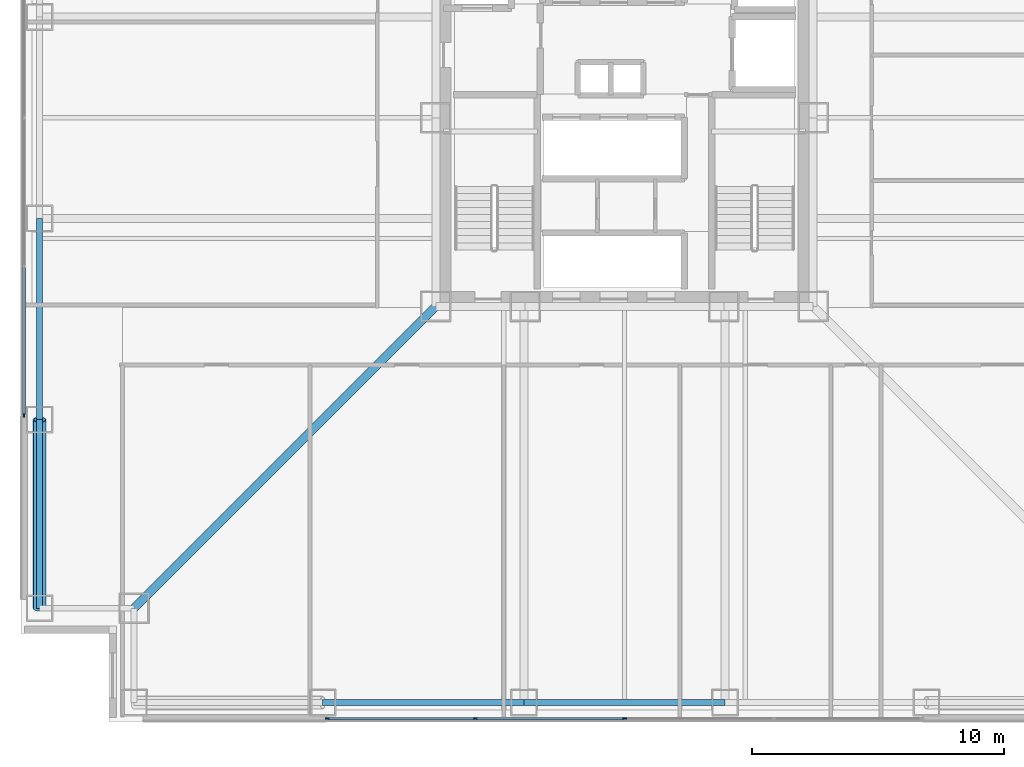
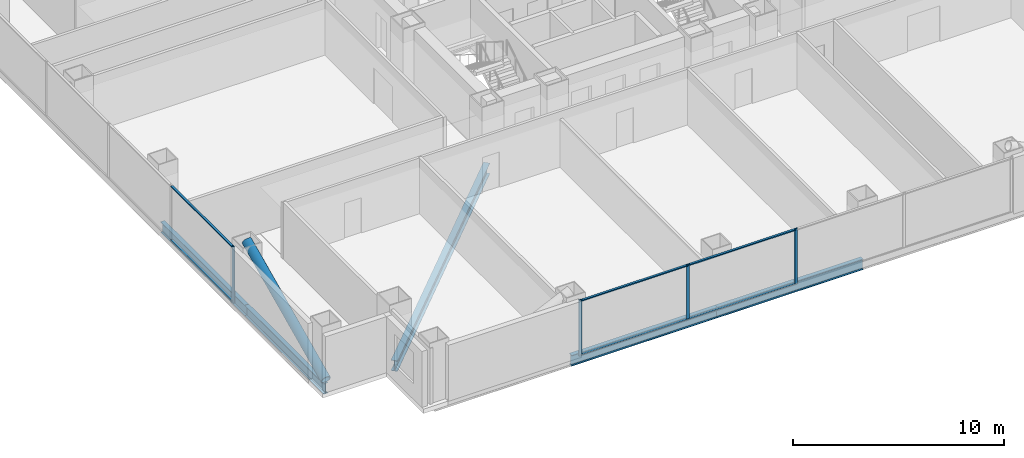
# One storey, part 2 of 15: 11 members, 5 beams, 2 elements without a shape of their own.
"""IFC4 building model written with IfcOpenShell, lengths in metres."""

from ifc_helpers import new_model, si_unit, direction, frame, origin, origin_2d, place, context, subcontext, project, spatial, rectangle, hollow_circle, i_section, extrude, material, layer, layer_set, material_profile, profile_set, type_object, element, aggregate, save


model = new_model("IFC4")

# Units and contexts
model_context = context("Model", 3, precision=1e-05, world=origin(), true_north=direction((0.0, 1.0)))
body_context = subcontext(model_context, "Body", "Model", "MODEL_VIEW")
ifc_project = project(units=[si_unit("LENGTHUNIT", "METRE"), si_unit("AREAUNIT", "SQUARE_METRE"), si_unit("VOLUMEUNIT", "CUBIC_METRE"), si_unit("PLANEANGLEUNIT", "RADIAN"), si_unit("MASSUNIT", "GRAM", prefix="KILO")], contexts=[model_context])

# Site, building, storey
site_placement = place(None, origin())
site = spatial("IfcSite", under=ifc_project, at=site_placement, CompositionType="ELEMENT")
building_placement = place(site_placement, origin())
building = spatial("IfcBuilding", under=site, at=building_placement, Name="Trevonay Congress Spire", CompositionType="ELEMENT")
storey_placement = place(building_placement, frame((0.0, 0.0, 44.5)))
storey = spatial("IfcBuildingStorey", under=building, at=storey_placement, Name="L10", CompositionType="ELEMENT", Elevation=44.5)

# Beams
ifc_material_1 = material(Name="Steel ASTM A572 Grade 50", Category="steel")
ifc_material_profile_1 = material_profile(ifc_material_1, i_section(OverallWidth=0.324951171875, OverallDepth=0.615966796875, WebThickness=0.013916015625, FlangeThickness=0.021484375, FilletRadius=0.01806640625, at=origin_2d()), Name="W610x174")
ifc_profile_set_1 = profile_set([ifc_material_profile_1], Name="Steel ASTM A572 Grade 50")
beam_type_1 = type_object("IfcBeamType", Name="BM-GIRD-W610X174", PredefinedType="BEAM", material=ifc_profile_set_1)
beam_1_placement = place(storey_placement, frame((-7.5, -7.5, -0.55810546875), z_axis=(-0.707106781187, -0.707106781187, 0.0), x_axis=(0.707106781187, -0.707106781187, 0.0)))
element("IfcBeam", 1, at=beam_1_placement, inside=storey, type_object=beam_type_1, Name="L10 structural beam BM-L10-CDSW", PredefinedType="BEAM", context=body_context, shape_type="SweptSolid", body=[
    extrude(i_section(OverallWidth=0.324951171875, OverallDepth=0.615966796875, WebThickness=0.013916015625, FlangeThickness=0.021484375, FilletRadius=0.01806640625, at=origin_2d()), origin(), (0.0, 0.0, 1.0), 16.970458984375),
])
ifc_material_profile_2 = material_profile(ifc_material_1, i_section(OverallWidth=0.22998046875, OverallDepth=0.616943359375, WebThickness=0.01318359375, FlangeThickness=0.022216796875, FilletRadius=0.01611328125, at=origin_2d()), Name="W610x140")
ifc_profile_set_2 = profile_set([ifc_material_profile_2], Name="Steel ASTM A572 Grade 50")
beam_type_2 = type_object("IfcBeamType", Name="BM-RING-W610X140", PredefinedType="BEAM", material=ifc_profile_set_2)
beam_2_placement = place(storey_placement, frame((-23.25, -19.5, -0.55859375), z_axis=(0.0, 1.0, 0.0), x_axis=(-1.0, 0.0, 0.0)))
element("IfcBeam", 2, at=beam_2_placement, inside=storey, type_object=beam_type_2, Name="L10 structural beam BM-L10-PW1", PredefinedType="BEAM", context=body_context, shape_type="SweptSolid", body=[
    extrude(i_section(OverallWidth=0.22998046875, OverallDepth=0.616943359375, WebThickness=0.01318359375, FlangeThickness=0.022216796875, FilletRadius=0.01611328125, at=origin_2d()), origin(), (0.0, 0.0, 1.0), 7.5),
])
for number, where, z_axis, x_axis, name in (
    (3, (-12.0, -23.25, -0.55859375), (1.0, 0.0, 0.0), (0.0, 1.0, 0.0), "L10 structural beam BM-L10-PS2"),
    (4, (-23.25, -12.0, -0.55859375), (0.0, 1.0, 0.0), (-1.0, 0.0, 0.0), "L10 structural beam BM-L10-PW2"),
    (5, (-4.0, -23.25, -0.55859375), (1.0, 0.0, 0.0), (0.0, 1.0, 0.0), "L10 structural beam BM-L10-PS3"),
):
    element("IfcBeam", number, at=place(storey_placement, frame(where, z_axis=z_axis, x_axis=x_axis)), inside=storey, type_object=beam_type_2, Name=name, PredefinedType="BEAM", context=body_context, shape_type="SweptSolid", body=[
        extrude(i_section(OverallWidth=0.22998046875, OverallDepth=0.616943359375, WebThickness=0.01318359375, FlangeThickness=0.022216796875, FilletRadius=0.01611328125, at=origin_2d()), origin(), (0.0, 0.0, 1.0), 8.0),
    ])

# Curtain wall, members
ifc_material_2 = material(Name="Pale Anodised Aluminium EN AW-6063-T6", Category="aluminium")
ifc_layer = layer(ifc_material_2, 0.179931640625, Name="Pale Anodised Aluminium EN AW-6063-T6")
ifc_layer_set = layer_set([ifc_layer], Name="Pale Anodised Aluminium EN AW-6063-T6")
curtain_wall_type = type_object("IfcCurtainWallType", Name="CW-SYS02-HOTEL-PALE-METAL", PredefinedType="NOTDEFINED", material=ifc_layer_set)
curtain_wall_1_placement = place(storey_placement, origin())
curtain_wall_1 = element("IfcCurtainWall", 6, at=curtain_wall_1_placement, inside=storey, type_object=curtain_wall_type, Name="L10 S unitised curtain wall", PredefinedType="NOTDEFINED")
ifc_material_profile_3 = material_profile(ifc_material_2, rectangle(XDim=0.06005859375, YDim=0.159912109375, at=origin_2d()), Name="CW-MULLION-160-ALUMINIUM")
ifc_profile_set_3 = profile_set([ifc_material_profile_3], Name="Pale Anodised Aluminium EN AW-6063-T6")
member_type_1 = type_object("IfcMemberType", Name="CW-MULLION-160-ALUMINIUM", PredefinedType="MULLION", material=ifc_profile_set_3)
member_1_placement = place(storey_placement, frame((-11.820068359375, -23.8798828125, 0.0), z_axis=(0.0, 0.0, 1.0), x_axis=(0.0, 1.0, 0.0)))
member_1 = element("IfcMember", 7, at=member_1_placement, type_object=member_type_1, Name="CW02 mullion 1", PredefinedType="MULLION", context=body_context, shape_type="SweptSolid", body=[
    extrude(rectangle(XDim=0.06005859375, YDim=0.159912109375, at=origin_2d()), origin(), (0.0, 0.0, 1.0), 3.25),
])
member_2_placement = place(storey_placement, frame((-5.925048828125, -23.8798828125, 0.0), z_axis=(0.0, 0.0, 1.0), x_axis=(0.0, 1.0, 0.0)))
member_2 = element("IfcMember", 8, at=member_2_placement, type_object=member_type_1, Name="CW02 mullion 2", PredefinedType="MULLION", context=body_context, shape_type="SweptSolid", body=[
    extrude(rectangle(XDim=0.06005859375, YDim=0.159912109375, at=origin_2d()), origin(), (0.0, 0.0, 1.0), 3.25),
])
member_3_placement = place(storey_placement, frame((0.0, -23.8798828125, 0.0), z_axis=(0.0, 0.0, 1.0), x_axis=(0.0, 1.0, 0.0)))
member_3 = element("IfcMember", 9, at=member_3_placement, type_object=member_type_1, Name="CW02 mullion 3", PredefinedType="MULLION", context=body_context, shape_type="SweptSolid", body=[
    extrude(rectangle(XDim=0.06005859375, YDim=0.159912109375, at=origin_2d()), origin(), (0.0, 0.0, 1.0), 3.25),
])

# Curtain wall, member
curtain_wall_2_placement = place(storey_placement, origin())
curtain_wall_2 = element("IfcCurtainWall", 10, at=curtain_wall_2_placement, inside=storey, type_object=curtain_wall_type, Name="L10 W unitised curtain wall", PredefinedType="NOTDEFINED")
member_4_placement = place(storey_placement, frame((-23.8798828125, -11.820068359375, 0.0), z_axis=(0.0, 0.0, 1.0), x_axis=(-1.0, 0.0, 0.0)))
member_4 = element("IfcMember", 11, at=member_4_placement, type_object=member_type_1, Name="CW02 mullion 1", PredefinedType="MULLION", context=body_context, shape_type="SweptSolid", body=[
    extrude(rectangle(XDim=0.06005859375, YDim=0.159912109375, at=origin_2d()), origin(), (0.0, 0.0, 1.0), 3.25),
])

# Member
ifc_material_profile_4 = material_profile(ifc_material_2, rectangle(XDim=0.1201171875, YDim=0.06005859375, at=origin_2d()), Name="CW-TRANSOM-120-ALUMINIUM")
ifc_profile_set_4 = profile_set([ifc_material_profile_4], Name="Pale Anodised Aluminium EN AW-6063-T6")
member_type_2 = type_object("IfcMemberType", Name="CW-TRANSOM-120-ALUMINIUM", PredefinedType="USERDEFINED", material=ifc_profile_set_4)
member_5_placement = place(storey_placement, frame((-11.7900390625, -23.8798828125, 0.06005859375), z_axis=(1.0, 0.0, 0.0), x_axis=(0.0, 1.0, 0.0)))
member_5 = element("IfcMember", 12, at=member_5_placement, type_object=member_type_2, Name="CW02 transom 1.1", ObjectType="TRANSOM", PredefinedType="USERDEFINED", context=body_context, shape_type="SweptSolid", body=[
    extrude(rectangle(XDim=0.1201171875, YDim=0.06005859375, at=origin_2d()), origin(), (0.0, 0.0, 1.0), 5.8349609375),
])

member_6_placement = place(storey_placement, frame((-11.7900390625, -23.8798828125, 3.18994140625), z_axis=(1.0, 0.0, 0.0), x_axis=(0.0, 1.0, 0.0)))
member_6 = element("IfcMember", 13, at=member_6_placement, type_object=member_type_2, Name="CW02 transom 1.2", ObjectType="TRANSOM", PredefinedType="USERDEFINED", context=body_context, shape_type="SweptSolid", body=[
    extrude(rectangle(XDim=0.1201171875, YDim=0.06005859375, at=origin_2d()), origin(), (0.0, 0.0, 1.0), 5.8349609375),
])

member_7_placement = place(storey_placement, frame((-5.89501953125, -23.8798828125, 0.06005859375), z_axis=(1.0, 0.0, 0.0), x_axis=(0.0, 1.0, 0.0)))
member_7 = element("IfcMember", 14, at=member_7_placement, type_object=member_type_2, Name="CW02 transom 2.1", ObjectType="TRANSOM", PredefinedType="USERDEFINED", context=body_context, shape_type="SweptSolid", body=[
    extrude(rectangle(XDim=0.1201171875, YDim=0.06005859375, at=origin_2d()), origin(), (0.0, 0.0, 1.0), 5.864990234375),
])

member_8_placement = place(storey_placement, frame((-5.89501953125, -23.8798828125, 3.18994140625), z_axis=(1.0, 0.0, 0.0), x_axis=(0.0, 1.0, 0.0)))
member_8 = element("IfcMember", 15, at=member_8_placement, type_object=member_type_2, Name="CW02 transom 2.2", ObjectType="TRANSOM", PredefinedType="USERDEFINED", context=body_context, shape_type="SweptSolid", body=[
    extrude(rectangle(XDim=0.1201171875, YDim=0.06005859375, at=origin_2d()), origin(), (0.0, 0.0, 1.0), 5.864990234375),
])

aggregate(curtain_wall_1, [member_1, member_2, member_3, member_5, member_6, member_7, member_8])

member_9_placement = place(storey_placement, frame((-23.8798828125, -11.7900390625, 0.06005859375), z_axis=(0.0, 1.0, 0.0), x_axis=(-1.0, 0.0, 0.0)))
member_9 = element("IfcMember", 16, at=member_9_placement, type_object=member_type_2, Name="CW02 transom 1.1", ObjectType="TRANSOM", PredefinedType="USERDEFINED", context=body_context, shape_type="SweptSolid", body=[
    extrude(rectangle(XDim=0.1201171875, YDim=0.06005859375, at=origin_2d()), origin(), (0.0, 0.0, 1.0), 5.8349609375),
])

member_10_placement = place(storey_placement, frame((-23.8798828125, -11.7900390625, 3.18994140625), z_axis=(0.0, 1.0, 0.0), x_axis=(-1.0, 0.0, 0.0)))
member_10 = element("IfcMember", 17, at=member_10_placement, type_object=member_type_2, Name="CW02 transom 1.2", ObjectType="TRANSOM", PredefinedType="USERDEFINED", context=body_context, shape_type="SweptSolid", body=[
    extrude(rectangle(XDim=0.1201171875, YDim=0.06005859375, at=origin_2d()), origin(), (0.0, 0.0, 1.0), 5.8349609375),
])

aggregate(curtain_wall_2, [member_4, member_9, member_10])

ifc_material_profile_5 = material_profile(ifc_material_1, hollow_circle(Radius=0.25390625, WallThickness=0.02490234375, at=origin_2d()), Name="CHS 508x25")
ifc_profile_set_5 = profile_set([ifc_material_profile_5], Name="Steel ASTM A572 Grade 50")
member_type_3 = type_object("IfcMemberType", Name="MBR-TUBE-CHS508", PredefinedType="BRACE", material=ifc_profile_set_5)
member_11_placement = place(storey_placement, frame((-23.25, -19.5, -0.050048828125), z_axis=(0.0, 0.906183139995, 0.422885465331), x_axis=(-1.0, 0.0, 0.0)))
element("IfcMember", 18, at=member_11_placement, inside=storey, type_object=member_type_3, Name="L10 perimeter braced-tube diagonal W0", PredefinedType="BRACE", context=body_context, shape_type="SweptSolid", body=[
    extrude(hollow_circle(Radius=0.25390625, WallThickness=0.02490234375, at=origin_2d()), origin(), (0.0, 0.0, 1.0), 8.2763671875),
])

save(model, "model.ifc")
